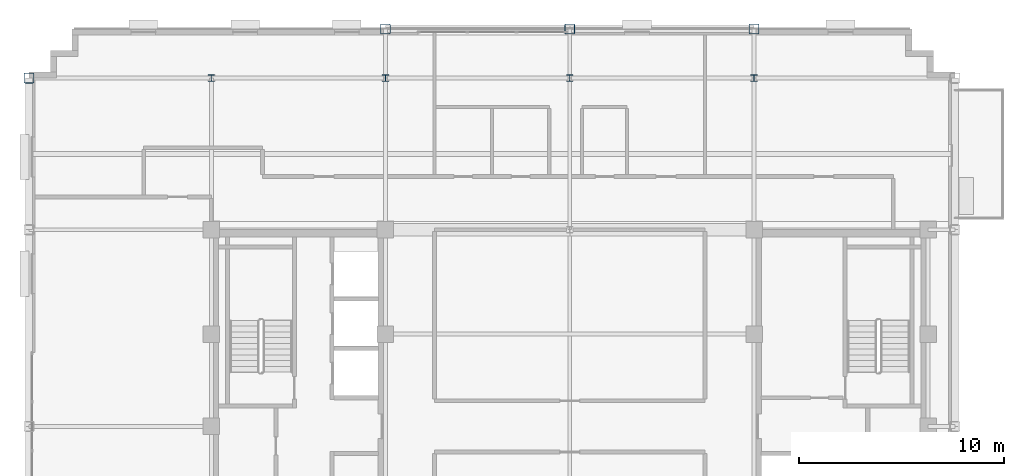
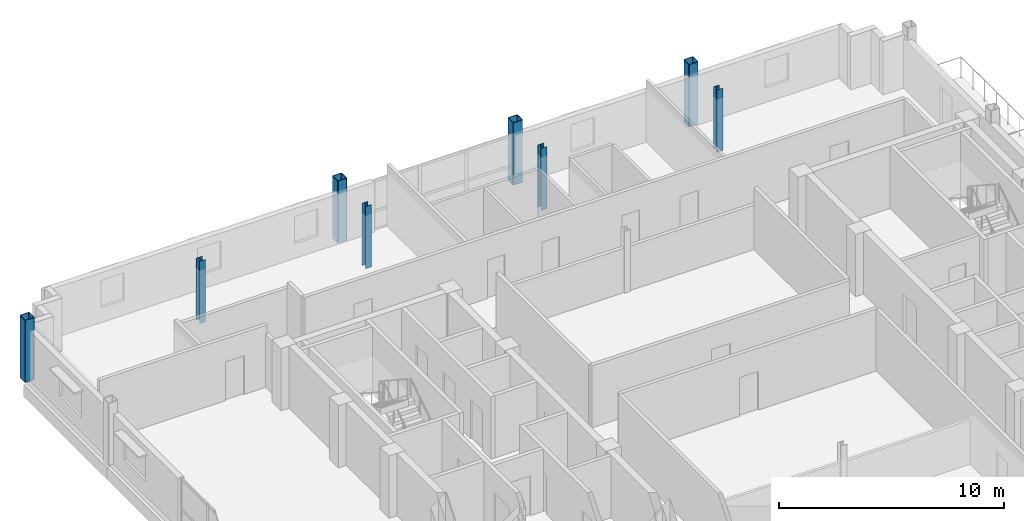
# One storey, part 3 of 16: 8 columns.
"""IFC4 building model written with IfcOpenShell, lengths in metres."""

from ifc_helpers import new_model, si_unit, direction, frame, origin, origin_2d, place, context, subcontext, project, spatial, hollow_rectangle, i_section, extrude, material, material_profile, profile_set, type_object, element, save


model = new_model("IFC4")

# Units and contexts
model_context = context("Model", 3, precision=1e-05, world=origin(), true_north=direction((0.0, 1.0)))
body_context = subcontext(model_context, "Body", "Model", "MODEL_VIEW")
ifc_project = project(units=[si_unit("LENGTHUNIT", "METRE"), si_unit("AREAUNIT", "SQUARE_METRE"), si_unit("VOLUMEUNIT", "CUBIC_METRE"), si_unit("PLANEANGLEUNIT", "RADIAN"), si_unit("MASSUNIT", "GRAM", prefix="KILO")], contexts=[model_context])

# Site, building, storey
site_placement = place(None, origin())
site = spatial("IfcSite", under=ifc_project, at=site_placement, CompositionType="ELEMENT")
building_placement = place(site_placement, origin())
building = spatial("IfcBuilding", under=site, at=building_placement, Name="Nuvemarco Arch Tower", CompositionType="ELEMENT")
storey_placement = place(building_placement, frame((0.0, 0.0, 227.39990234375)))
storey = spatial("IfcBuildingStorey", under=building, at=storey_placement, Name="L60", CompositionType="ELEMENT", Elevation=227.39990234375)

# Columns
ifc_material = material(Name="Steel S355", Category="steel")
ifc_material_profile_1 = material_profile(ifc_material, hollow_rectangle(XDim=0.5, YDim=0.5, WallThickness=0.031982421875, InnerFilletRadius=0.031982421875, OuterFilletRadius=0.06396484375, at=origin_2d()), Name="SHS500x500x32")
ifc_profile_set_1 = profile_set([ifc_material_profile_1], Name="Steel S355")
column_type_1 = type_object("IfcColumnType", Name="COL-EXO-500", PredefinedType="COLUMN", material=ifc_profile_set_1)
for number, where, z_axis, x_axis, name in (
    (1, (-26.39990234375, 17.0, 0.0), (0.0, 0.0, 1.0), (1.0, 0.0, 0.0), "L60 column CX_-26.4_+17.0"),
    (2, (-9.0, 19.39990234375, 0.0), (0.0, 0.0, 1.0), (1.0, 0.0, 0.0), "L60 column CY_-9.0_+19.4"),
    (3, (0.0, 19.39990234375, 0.0), (0.0, 0.0, 1.0), (1.0, 0.0, 0.0), "L60 column CY_+0.0_+19.4"),
    (4, (9.0, 19.39990234375, 0.0), (0.0, 0.0, 1.0), (1.0, 0.0, 0.0), "L60 column CY_+9.0_+19.4"),
):
    element("IfcColumn", number, at=place(storey_placement, frame(where, z_axis=z_axis, x_axis=x_axis)), inside=storey, type_object=column_type_1, Name=name, PredefinedType="COLUMN", context=body_context, shape_type="SweptSolid", body=[
        extrude(hollow_rectangle(XDim=0.5, YDim=0.5, WallThickness=0.031982421875, InnerFilletRadius=0.031982421875, OuterFilletRadius=0.06396484375, at=origin_2d()), origin(), (0.0, 0.0, 1.0), 3.3701171875),
    ])
ifc_material_profile_2 = material_profile(ifc_material, i_section(OverallWidth=0.31005859375, OverallDepth=0.31005859375, WebThickness=0.015380859375, FlangeThickness=0.015380859375, FilletRadius=0.014892578125, at=origin_2d()), Name="HP310x110")
ifc_profile_set_2 = profile_set([ifc_material_profile_2], Name="Steel S355")
column_type_2 = type_object("IfcColumnType", Name="COL-STL-HP310", PredefinedType="COLUMN", material=ifc_profile_set_2)
for number, where, z_axis, x_axis, name in (
    (5, (0.0, 17.0, 0.0), (0.0, 0.0, 1.0), (1.0, 0.0, 0.0), "L60 column CI_+0.0_+17.0"),
    (6, (-17.5, 17.0, 0.0), (0.0, 0.0, 1.0), (1.0, 0.0, 0.0), "L60 column CI_-17.5_+17.0"),
    (7, (-9.0, 17.0, 0.0), (0.0, 0.0, 1.0), (1.0, 0.0, 0.0), "L60 column CI_-9.0_+17.0"),
    (8, (9.0, 17.0, 0.0), (0.0, 0.0, 1.0), (1.0, 0.0, 0.0), "L60 column CI_+9.0_+17.0"),
):
    element("IfcColumn", number, at=place(storey_placement, frame(where, z_axis=z_axis, x_axis=x_axis)), inside=storey, type_object=column_type_2, Name=name, PredefinedType="COLUMN", context=body_context, shape_type="SweptSolid", body=[
        extrude(i_section(OverallWidth=0.31005859375, OverallDepth=0.31005859375, WebThickness=0.015380859375, FlangeThickness=0.015380859375, FilletRadius=0.014892578125, at=origin_2d()), origin(), (0.0, 0.0, 1.0), 3.3701171875),
    ])

save(model, "model.ifc")
